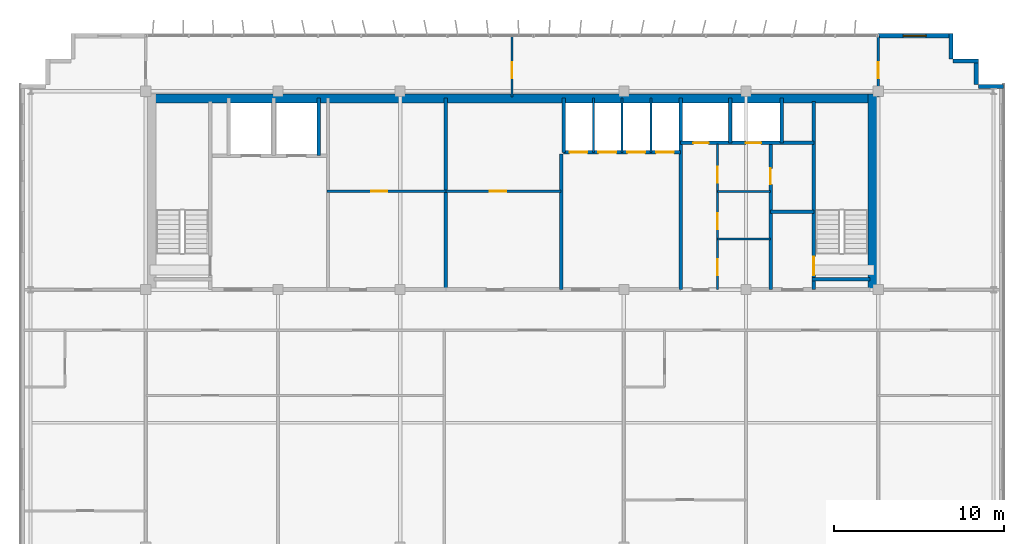
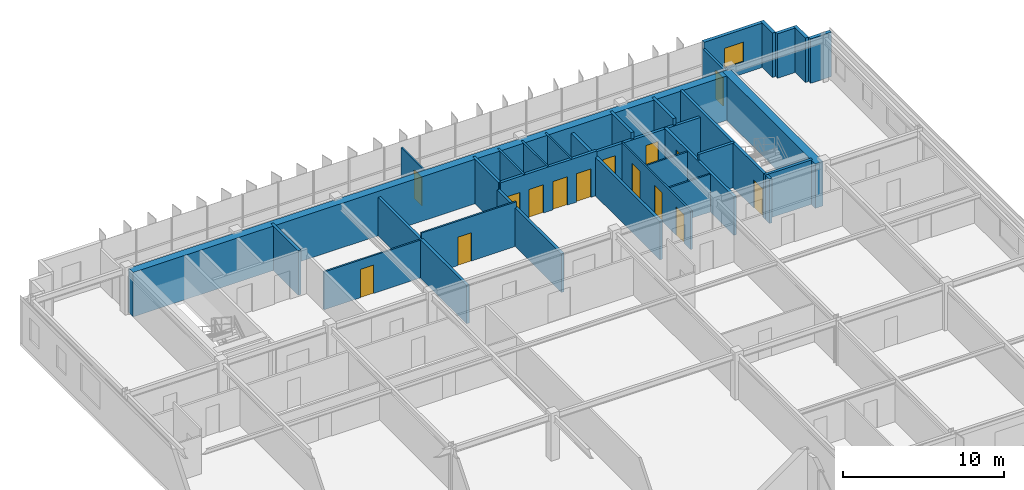
# One storey, part 19 of 22: 30 walls, 15 doors, 1 window, 16 openings.
"""IFC4 building model written with IfcOpenShell, lengths in metres."""

from ifc_helpers import new_model, si_unit, direction, frame, frame_2d, origin, place, context, subcontext, project, spatial, rectangle, extrude, source, transform, mapped, material, layer, layer_set, type_object, element, fill, save


model = new_model("IFC4")

# Units and contexts
model_context = context("Model", 3, precision=1e-05, world=origin(), true_north=direction((0.0, 1.0)))
body_context = subcontext(model_context, "Body", "Model", "MODEL_VIEW")
ifc_project = project(units=[si_unit("LENGTHUNIT", "METRE"), si_unit("AREAUNIT", "SQUARE_METRE"), si_unit("VOLUMEUNIT", "CUBIC_METRE"), si_unit("PLANEANGLEUNIT", "RADIAN"), si_unit("MASSUNIT", "GRAM", prefix="KILO")], contexts=[model_context])

# Site, building, storey
site_placement = place(None, origin())
site = spatial("IfcSite", under=ifc_project, at=site_placement, CompositionType="ELEMENT")
building_placement = place(site_placement, origin())
building = spatial("IfcBuilding", under=site, at=building_placement, Name="Trelvane Seafront Commons", CompositionType="ELEMENT")
storey_placement = place(building_placement, frame((0.0, 0.0, 288.300048828125)))
storey = spatial("IfcBuildingStorey", under=building, at=storey_placement, Name="L75", CompositionType="ELEMENT", Elevation=288.300048828125)

# Wall, opening, window
ifc_material_1 = material(Name="Precast concrete C40/50", Category="concrete")
ifc_layer_1 = layer(ifc_material_1, 0.239990234375, Name="ARCH-WALL-EXT240")
ifc_layer_set_1 = layer_set([ifc_layer_1], Name="Precast concrete C40/50")
wall_type_1 = type_object("IfcWallType", Name="ARCH-WALL-EXT240", PredefinedType="SOLIDWALL", material=ifc_layer_set_1)
wall_1_placement = place(storey_placement, frame((58.800048828125, 48.3701171875, 0.0), z_axis=(0.0, 0.0, 1.0), x_axis=(1.0, 0.0, 0.0)))
wall_1 = element("IfcWall", 1, at=wall_1_placement, inside=storey, type_object=wall_type_1, Name="EW-L75-NE-1509", PredefinedType="SOLIDWALL", context=body_context, shape_type="SweptSolid", body=[
    extrude(rectangle(XDim=4.300048828125, YDim=0.239990234375, at=frame_2d((2.14990234375, 0.0))), origin(), (0.0, 0.0, 1.0), 3.369873046875),
])
opening_1_placement = place(wall_1_placement, frame((1.47509765625, 0.0, 0.89990234375)))
opening_1 = element("IfcOpeningElement", 2, at=opening_1_placement, cuts=wall_1, Name="Opening W09", PredefinedType="OPENING", context=body_context, shape_type="SweptSolid", body=[
    extrude(rectangle(XDim=1.35009765625, YDim=1.5, at=frame_2d((0.675048828125, 0.75))), frame((0.0, 0.1298828125, 0.0), z_axis=(0.0, -1.0, 0.0), x_axis=(1.0, 0.0, 0.0)), (0.0, 0.0, 1.0), 0.260009765625),
])
ifc_material_2 = material(Name="Low-E coastal double glazing", Category="glass")
window_type = type_object("IfcWindowType", Name="ARCH-WIN-W09", PartitioningType="SINGLE_PANEL", PredefinedType="WINDOW", material=ifc_material_2)
shared_shape_1 = source(origin(), body_context, "Body", "SweptSolid", [
    extrude(rectangle(XDim=1.35009765625, YDim=1.5, at=frame_2d((0.675048828125, 0.75))), frame((0.0, 0.030029296875, 0.0), z_axis=(0.0, -1.0, 0.0), x_axis=(1.0, 0.0, 0.0)), (0.0, 0.0, 1.0), 0.06005859375),
])
window_placement = place(opening_1_placement, origin())
window = element("IfcWindow", 3, at=window_placement, inside=storey, type_object=window_type, Name="WIN-L75-01796", OverallHeight=1.5, OverallWidth=1.35009765625, PartitioningType="SINGLE_PANEL", PredefinedType="WINDOW", context=body_context, shape_type="MappedRepresentation", body=[
    mapped(shared_shape_1, transform((0.0, 0.0, 0.0), x_axis=(1.0, 0.0, 0.0), y_axis=(0.0, 1.0, 0.0), z_axis=(0.0, 0.0, 1.0), scale=1.0)),
])
fill(opening_1, window)

# Walls
for number, where, z_axis, x_axis, name in (
    (4, (63.080078125, 48.5, 0.0), (0.0, 0.0, 1.0), (0.0, -1.0, 0.0), "EW-L75-01518"),
    (5, (63.199951171875, 46.8798828125, 0.0), (0.0, 0.0, 1.0), (1.0, 0.0, 0.0), "EW-L75-01519"),
    (6, (64.580078125, 47.0, 0.0), (0.0, 0.0, 1.0), (0.0, -1.0, 0.0), "EW-L75-01520"),
    (7, (64.699951171875, 45.3798828125, 0.0), (0.0, 0.0, 1.0), (1.0, 0.0, 0.0), "EW-L75-01521"),
):
    element("IfcWall", number, at=place(storey_placement, frame(where, z_axis=z_axis, x_axis=x_axis)), inside=storey, type_object=wall_type_1, Name=name, PredefinedType="SOLIDWALL", context=body_context, shape_type="SweptSolid", body=[
        extrude(rectangle(XDim=1.5, YDim=0.239990234375, at=frame_2d((0.75, 0.0))), origin(), (0.0, 0.0, 1.0), 3.369873046875),
    ])

# Wall, opening, door
ifc_material_3 = material(Name="Concrete C40/50", Category="concrete")
ifc_layer_2 = layer(ifc_material_3, 0.199951171875, Name="ARCH-WALL-FIRE200")
ifc_layer_set_2 = layer_set([ifc_layer_2], Name="Concrete C40/50")
wall_type_2 = type_object("IfcWallType", Name="ARCH-WALL-FIRE200", PredefinedType="PARTITIONING", material=ifc_layer_set_2)
wall_2_placement = place(storey_placement, frame((52.449951171875, 33.39990234375, 0.0), z_axis=(0.0, 0.0, 1.0), x_axis=(0.0, 1.0, 0.0)))
wall_2 = element("IfcWall", 8, at=wall_2_placement, inside=storey, type_object=wall_type_2, Name="W-L75-ST2V-W-030", PredefinedType="PARTITIONING", context=body_context, shape_type="SweptSolid", body=[
    extrude(rectangle(XDim=8.650146484375, YDim=0.199951171875, at=frame_2d((4.3251953125, 0.0))), origin(), (0.0, 0.0, 1.0), 2.919921875),
])
opening_2_placement = place(wall_2_placement, frame((6.199951171875, 0.0, 0.0)))
opening_2 = element("IfcOpeningElement", 9, at=opening_2_placement, cuts=wall_2, Name="Opening FD-L75-17", PredefinedType="OPENING", context=body_context, shape_type="SweptSolid", body=[
    extrude(rectangle(XDim=0.949951171875, YDim=2.14990234375, at=frame_2d((0.47509765625, 1.074951171875))), frame((0.0, 0.10986328125, 0.0), z_axis=(0.0, -1.0, 0.0), x_axis=(1.0, 0.0, 0.0)), (0.0, 0.0, 1.0), 0.219970703125),
])
ifc_material_4 = material(Name="Powder-coated aluminium frame", Category="aluminium")
door_type_1 = type_object("IfcDoorType", Name="ARCH-DR-FD60-950", OperationType="NOTDEFINED", PredefinedType="DOOR", material=ifc_material_4)
shared_shape_2 = source(origin(), body_context, "Body", "SweptSolid", [
    extrude(rectangle(XDim=0.949951171875, YDim=2.14990234375, at=frame_2d((0.47509765625, 1.074951171875))), frame((0.0, 0.02490234375, 0.0), z_axis=(0.0, -1.0, 0.0), x_axis=(1.0, 0.0, 0.0)), (0.0, 0.0, 1.0), 0.050048828125),
])
door_1_placement = place(opening_2_placement, origin())
door_1 = element("IfcDoor", 10, at=door_1_placement, inside=storey, type_object=door_type_1, Name="L75 Cleaner Store Door", OperationType="SINGLE_SWING_LEFT", OverallHeight=2.14990234375, OverallWidth=0.949951171875, PredefinedType="DOOR", context=body_context, shape_type="MappedRepresentation", body=[
    mapped(shared_shape_2, transform((0.0, 0.0, 0.0), x_axis=(1.0, 0.0, 0.0), y_axis=(0.0, 1.0, 0.0), z_axis=(0.0, 0.0, 1.0), scale=1.0)),
])
fill(opening_2, door_1)

# Wall
wall_3_placement = place(storey_placement, frame((52.449951171875, 38.0, 0.0), z_axis=(0.0, 0.0, 1.0), x_axis=(1.0, 0.0, 0.0)))
element("IfcWall", 11, at=wall_3_placement, inside=storey, type_object=wall_type_2, Name="W-L75-ST2V-N-031", PredefinedType="PARTITIONING", context=body_context, shape_type="SweptSolid", body=[
    extrude(rectangle(XDim=2.550048828125, YDim=0.199951171875, at=frame_2d((1.27490234375, 0.0))), origin(), (0.0, 0.0, 1.0), 3.369873046875),
])

# Wall, opening, door
ifc_material_5 = material(Name="Gypsum Drywall Acoustic Partition")
ifc_layer_3 = layer(ifc_material_5, 0.1201171875, Name="ARCH-WALL-PART120")
ifc_layer_set_3 = layer_set([ifc_layer_3], Name="Gypsum Drywall Acoustic Partition")
wall_type_3 = type_object("IfcWallType", Name="ARCH-WALL-PART120", PredefinedType="PARTITIONING", material=ifc_layer_set_3)
wall_4_placement = place(storey_placement, frame((26.300048828125, 39.199951171875, 0.0), z_axis=(0.0, 0.0, 1.0), x_axis=(1.0, 0.0, 0.0)))
wall_4 = element("IfcWall", 12, at=wall_4_placement, inside=storey, type_object=wall_type_3, Name="W-L75-FREED-PL-MID-014", PredefinedType="PARTITIONING", context=body_context, shape_type="SweptSolid", body=[
    extrude(rectangle(XDim=7.0, YDim=0.1201171875, at=frame_2d((3.5, 0.0))), origin(), (0.0, 0.0, 1.0), 2.869873046875),
])
opening_3_placement = place(wall_4_placement, frame((2.60009765625, 0.0, 0.0)))
opening_3 = element("IfcOpeningElement", 13, at=opening_3_placement, cuts=wall_4, Name="Opening D-L75-06", PredefinedType="OPENING", context=body_context, shape_type="SweptSolid", body=[
    extrude(rectangle(XDim=0.949951171875, YDim=2.14990234375, at=frame_2d((0.47509765625, 1.074951171875))), frame((0.0, 0.070068359375, 0.0), z_axis=(0.0, -1.0, 0.0), x_axis=(1.0, 0.0, 0.0)), (0.0, 0.0, 1.0), 0.14013671875),
])
ifc_material_6 = material(Name="Acoustic timber door leaf", Category="wood")
door_type_2 = type_object("IfcDoorType", Name="ARCH-DR-INT950", OperationType="NOTDEFINED", PredefinedType="DOOR", material=ifc_material_6)
door_2_placement = place(opening_3_placement, origin())
door_2 = element("IfcDoor", 14, at=door_2_placement, inside=storey, type_object=door_type_2, Name="L75 Housekeeping Store Door", OperationType="SINGLE_SWING_RIGHT", OverallHeight=2.14990234375, OverallWidth=0.949951171875, PredefinedType="DOOR", context=body_context, shape_type="MappedRepresentation", body=[
    mapped(shared_shape_2, transform((0.0, 0.0, 0.0), x_axis=(1.0, 0.0, 0.0), y_axis=(0.0, 1.0, 0.0), z_axis=(0.0, 0.0, 1.0), scale=1.0)),
])
fill(opening_3, door_2)

wall_5_placement = place(storey_placement, frame((33.300048828125, 39.199951171875, 0.0), z_axis=(0.0, 0.0, 1.0), x_axis=(1.0, 0.0, 0.0)))
wall_5 = element("IfcWall", 15, at=wall_5_placement, inside=storey, type_object=wall_type_3, Name="W-L75-FREED-PM-MID-016", PredefinedType="PARTITIONING", context=body_context, shape_type="SweptSolid", body=[
    extrude(rectangle(XDim=6.800048828125, YDim=0.1201171875, at=frame_2d((3.39990234375, 0.0))), origin(), (0.0, 0.0, 1.0), 3.369873046875),
])
opening_4_placement = place(wall_5_placement, frame((2.60009765625, 0.0, 0.0)))
opening_4 = element("IfcOpeningElement", 16, at=opening_4_placement, cuts=wall_5, Name="Opening D-L75-07", PredefinedType="OPENING", context=body_context, shape_type="SweptSolid", body=[
    extrude(rectangle(XDim=0.949951171875, YDim=2.14990234375, at=frame_2d((0.47509765625, 1.074951171875))), frame((0.0, 0.070068359375, 0.0), z_axis=(0.0, -1.0, 0.0), x_axis=(1.0, 0.0, 0.0)), (0.0, 0.0, 1.0), 0.14013671875),
])
door_3_placement = place(opening_4_placement, origin())
door_3 = element("IfcDoor", 17, at=door_3_placement, inside=storey, type_object=door_type_2, Name="L75 IT Comms Room Door", OperationType="SINGLE_SWING_LEFT", OverallHeight=2.14990234375, OverallWidth=0.949951171875, PredefinedType="DOOR", context=body_context, shape_type="MappedRepresentation", body=[
    mapped(shared_shape_2, transform((0.0, 0.0, 0.0), x_axis=(1.0, 0.0, 0.0), y_axis=(0.0, 1.0, 0.0), z_axis=(0.0, 0.0, 1.0), scale=1.0)),
])
fill(opening_4, door_3)

# Walls
for number, where, z_axis, x_axis, name in (
    (18, (42.0, 41.5, 0.0), (0.0, 0.0, 1.0), (0.0, 1.0, 0.0), "W-L75-PH-DIV1-020"),
    (19, (43.699951171875, 41.5, 0.0), (0.0, 0.0, 1.0), (0.0, 1.0, 0.0), "W-L75-PH-DIV2-021"),
    (20, (45.39990234375, 41.5, 0.0), (0.0, 0.0, 1.0), (0.0, 1.0, 0.0), "W-L75-PH-DIV3-022"),
):
    element("IfcWall", number, at=place(storey_placement, frame(where, z_axis=z_axis, x_axis=x_axis)), inside=storey, type_object=wall_type_3, Name=name, PredefinedType="PARTITIONING", context=body_context, shape_type="SweptSolid", body=[
        extrude(rectangle(XDim=3.199951171875, YDim=0.1201171875, at=frame_2d((1.60009765625, 0.0))), origin(), (0.0, 0.0, 1.0), 3.369873046875),
    ])

# Wall, openings, doors
wall_6_placement = place(storey_placement, frame((49.320068359375, 33.39990234375, 0.0), z_axis=(0.0, 0.0, 1.0), x_axis=(0.0, 1.0, 0.0)))
wall_6 = element("IfcWall", 21, at=wall_6_placement, inside=storey, type_object=wall_type_3, Name="W-L75-CYC3-V-032", PredefinedType="PARTITIONING", context=body_context, shape_type="SweptSolid", body=[
    extrude(rectangle(XDim=8.60009765625, YDim=0.1201171875, at=frame_2d((4.300048828125, 0.0))), origin(), (0.0, 0.0, 1.0), 2.919921875),
])
opening_5_placement = place(wall_6_placement, frame((0.85009765625, 0.0, 0.0)))
opening_5 = element("IfcOpeningElement", 22, at=opening_5_placement, cuts=wall_6, Name="Opening D-L75-18", PredefinedType="OPENING", context=body_context, shape_type="SweptSolid", body=[
    extrude(rectangle(XDim=0.949951171875, YDim=2.14990234375, at=frame_2d((0.47509765625, 1.074951171875))), frame((0.0, 0.070068359375, 0.0), z_axis=(0.0, -1.0, 0.0), x_axis=(1.0, 0.0, 0.0)), (0.0, 0.0, 1.0), 0.14013671875),
])
opening_6_placement = place(wall_6_placement, frame((3.550048828125, 0.0, 0.0)))
opening_6 = element("IfcOpeningElement", 23, at=opening_6_placement, cuts=wall_6, Name="Opening D-L75-19", PredefinedType="OPENING", context=body_context, shape_type="SweptSolid", body=[
    extrude(rectangle(XDim=0.949951171875, YDim=2.14990234375, at=frame_2d((0.47509765625, 1.074951171875))), frame((0.0, 0.070068359375, 0.0), z_axis=(0.0, -1.0, 0.0), x_axis=(1.0, 0.0, 0.0)), (0.0, 0.0, 1.0), 0.14013671875),
])
opening_7_placement = place(wall_6_placement, frame((6.300048828125, 0.0, 0.0)))
opening_7 = element("IfcOpeningElement", 24, at=opening_7_placement, cuts=wall_6, Name="Opening D-L75-20", PredefinedType="OPENING", context=body_context, shape_type="SweptSolid", body=[
    extrude(rectangle(XDim=0.949951171875, YDim=2.14990234375, at=frame_2d((0.47509765625, 1.074951171875))), frame((0.0, 0.070068359375, 0.0), z_axis=(0.0, -1.0, 0.0), x_axis=(1.0, 0.0, 0.0)), (0.0, 0.0, 1.0), 0.14013671875),
])
door_4_placement = place(opening_5_placement, origin())
door_4 = element("IfcDoor", 25, at=door_4_placement, inside=storey, type_object=door_type_2, Name="L75 Accessible WC Door", OperationType="SINGLE_SWING_RIGHT", OverallHeight=2.14990234375, OverallWidth=0.949951171875, PredefinedType="DOOR", context=body_context, shape_type="MappedRepresentation", body=[
    mapped(shared_shape_2, transform((0.0, 0.0, 0.0), x_axis=(1.0, 0.0, 0.0), y_axis=(0.0, 1.0, 0.0), z_axis=(0.0, 0.0, 1.0), scale=1.0)),
])
fill(opening_5, door_4)
door_5_placement = place(opening_6_placement, origin())
door_5 = element("IfcDoor", 26, at=door_5_placement, inside=storey, type_object=door_type_2, Name="L75 Staff WC Door", OperationType="SINGLE_SWING_LEFT", OverallHeight=2.14990234375, OverallWidth=0.949951171875, PredefinedType="DOOR", context=body_context, shape_type="MappedRepresentation", body=[
    mapped(shared_shape_2, transform((0.0, 0.0, 0.0), x_axis=(1.0, 0.0, 0.0), y_axis=(0.0, 1.0, 0.0), z_axis=(0.0, 0.0, 1.0), scale=1.0)),
])
fill(opening_6, door_5)
door_6_placement = place(opening_7_placement, origin())
door_6 = element("IfcDoor", 27, at=door_6_placement, inside=storey, type_object=door_type_2, Name="L75 Electrical Room Door", OperationType="SINGLE_SWING_RIGHT", OverallHeight=2.14990234375, OverallWidth=0.949951171875, PredefinedType="DOOR", context=body_context, shape_type="MappedRepresentation", body=[
    mapped(shared_shape_2, transform((0.0, 0.0, 0.0), x_axis=(1.0, 0.0, 0.0), y_axis=(0.0, 1.0, 0.0), z_axis=(0.0, 0.0, 1.0), scale=1.0)),
])
fill(opening_7, door_6)

# Walls
for number, where, z_axis, x_axis, name in (
    (28, (49.320068359375, 36.3798828125, 0.0), (0.0, 0.0, 1.0), (1.0, 0.0, 0.0), "W-L75-CYC3-H1-033"),
    (29, (49.320068359375, 39.179931640625, 0.0), (0.0, 0.0, 1.0), (1.0, 0.0, 0.0), "W-L75-CYC3-H2-034"),
):
    element("IfcWall", number, at=place(storey_placement, frame(where, z_axis=z_axis, x_axis=x_axis)), inside=storey, type_object=wall_type_3, Name=name, PredefinedType="PARTITIONING", context=body_context, shape_type="SweptSolid", body=[
        extrude(rectangle(XDim=3.1298828125, YDim=0.1201171875, at=frame_2d((1.56494140625, 0.0))), origin(), (0.0, 0.0, 1.0), 2.869873046875),
    ])

# Wall, opening, door
wall_7_placement = place(storey_placement, frame((37.199951171875, 44.75, 0.0), z_axis=(0.0, 0.0, 1.0), x_axis=(0.0, 1.0, 0.0)))
wall_7 = element("IfcWall", 30, at=wall_7_placement, inside=storey, type_object=wall_type_3, Name="W-L75-N-MID-DV-038", PredefinedType="PARTITIONING", context=body_context, shape_type="SweptSolid", body=[
    extrude(rectangle(XDim=3.610107421875, YDim=0.1201171875, at=frame_2d((1.80517578125, 0.0))), origin(), (0.0, 0.0, 1.0), 2.919921875),
])
opening_8_placement = place(wall_7_placement, frame((1.10009765625, 0.0, 0.0)))
opening_8 = element("IfcOpeningElement", 31, at=opening_8_placement, cuts=wall_7, Name="Opening D-L75-25", PredefinedType="OPENING", context=body_context, shape_type="SweptSolid", body=[
    extrude(rectangle(XDim=0.949951171875, YDim=2.14990234375, at=frame_2d((0.47509765625, 1.074951171875))), frame((0.0, 0.070068359375, 0.0), z_axis=(0.0, -1.0, 0.0), x_axis=(1.0, 0.0, 0.0)), (0.0, 0.0, 1.0), 0.14013671875),
])
door_7_placement = place(opening_8_placement, origin())
door_7 = element("IfcDoor", 32, at=door_7_placement, inside=storey, type_object=door_type_2, Name="L75 Door 25", OperationType="SINGLE_SWING_LEFT", OverallHeight=2.14990234375, OverallWidth=0.949951171875, PredefinedType="DOOR", context=body_context, shape_type="MappedRepresentation", body=[
    mapped(shared_shape_2, transform((0.0, 0.0, 0.0), x_axis=(1.0, 0.0, 0.0), y_axis=(0.0, 1.0, 0.0), z_axis=(0.0, 0.0, 1.0), scale=1.0)),
])
fill(opening_8, door_7)

ifc_layer_4 = layer(ifc_material_5, 0.14990234375, Name="ARCH-WALL-PART150")
ifc_layer_set_4 = layer_set([ifc_layer_4], Name="Gypsum Drywall Acoustic Partition")
wall_type_4 = type_object("IfcWallType", Name="ARCH-WALL-PART150", PredefinedType="PARTITIONING", material=ifc_layer_set_4)
wall_8_placement = place(storey_placement, frame((58.800048828125, 44.75, 0.0), z_axis=(0.0, 0.0, 1.0), x_axis=(0.0, 1.0, 0.0)))
wall_8 = element("IfcWall", 33, at=wall_8_placement, inside=storey, type_object=wall_type_4, Name="W-L75-N-LINK-E-040", PredefinedType="PARTITIONING", context=body_context, shape_type="SweptSolid", body=[
    extrude(rectangle(XDim=3.610107421875, YDim=0.14990234375, at=frame_2d((1.80517578125, 0.0))), origin(), (0.0, 0.0, 1.0), 2.869873046875),
])
opening_9_placement = place(wall_8_placement, frame((1.10009765625, 0.0, 0.0)))
opening_9 = element("IfcOpeningElement", 34, at=opening_9_placement, cuts=wall_8, Name="Opening FD-L75-27", PredefinedType="OPENING", context=body_context, shape_type="SweptSolid", body=[
    extrude(rectangle(XDim=0.949951171875, YDim=2.14990234375, at=frame_2d((0.47509765625, 1.074951171875))), frame((0.0, 0.0849609375, 0.0), z_axis=(0.0, -1.0, 0.0), x_axis=(1.0, 0.0, 0.0)), (0.0, 0.0, 1.0), 0.169921875),
])
door_8_placement = place(opening_9_placement, origin())
door_8 = element("IfcDoor", 35, at=door_8_placement, inside=storey, type_object=door_type_1, Name="L75 Door 27", OperationType="SINGLE_SWING_LEFT", OverallHeight=2.14990234375, OverallWidth=0.949951171875, PredefinedType="DOOR", context=body_context, shape_type="MappedRepresentation", body=[
    mapped(shared_shape_2, transform((0.0, 0.0, 0.0), x_axis=(1.0, 0.0, 0.0), y_axis=(0.0, 1.0, 0.0), z_axis=(0.0, 0.0, 1.0), scale=1.0)),
])
fill(opening_9, door_8)

# Walls
ifc_layer_5 = layer(ifc_material_3, 0.199951171875, Name="ARCH-WALL-SHAFT200")
ifc_layer_set_5 = layer_set([ifc_layer_5], Name="Concrete C40/50")
wall_type_5 = type_object("IfcWallType", Name="ARCH-WALL-SHAFT200", PredefinedType="SOLIDWALL", material=ifc_layer_set_5)
wall_9_placement = place(storey_placement, frame((25.800048828125, 41.300048828125, 0.0), z_axis=(0.0, 0.0, 1.0), x_axis=(0.0, 1.0, 0.0)))
element("IfcWall", 36, at=wall_9_placement, inside=storey, type_object=wall_type_5, Name="W-L75-FFL-SH-E-011", PredefinedType="SOLIDWALL", context=body_context, shape_type="SweptSolid", body=[
    extrude(rectangle(XDim=3.39990234375, YDim=0.199951171875, at=frame_2d((1.699951171875, 0.0))), origin(), (0.0, 0.0, 1.0), 3.369873046875),
])
wall_10_placement = place(storey_placement, frame((33.300048828125, 33.39990234375, 0.0), z_axis=(0.0, 0.0, 1.0), x_axis=(0.0, 1.0, 0.0)))
element("IfcWall", 37, at=wall_10_placement, inside=storey, type_object=wall_type_5, Name="W-L75-FREED-PL-E-015", PredefinedType="SOLIDWALL", context=body_context, shape_type="SweptSolid", body=[
    extrude(rectangle(XDim=11.300048828125, YDim=0.199951171875, at=frame_2d((5.64990234375, 0.0))), origin(), (0.0, 0.0, 1.0), 2.919921875),
])
wall_11_placement = place(storey_placement, frame((40.10009765625, 33.39990234375, 0.0), z_axis=(0.0, 0.0, 1.0), x_axis=(0.0, 1.0, 0.0)))
element("IfcWall", 38, at=wall_11_placement, inside=storey, type_object=wall_type_5, Name="W-L75-FREED-PM-E-017", PredefinedType="SOLIDWALL", context=body_context, shape_type="SweptSolid", body=[
    extrude(rectangle(XDim=8.0, YDim=0.199951171875, at=frame_2d((4.0, 0.0))), origin(), (0.0, 0.0, 1.0), 2.919921875),
])

# Wall, openings, doors
wall_12_placement = place(storey_placement, frame((40.25, 41.5, 0.0), z_axis=(0.0, 0.0, 1.0), x_axis=(1.0, 0.0, 0.0)))
wall_12 = element("IfcWall", 39, at=wall_12_placement, inside=storey, type_object=wall_type_5, Name="W-L75-PH-FRONT-018", PredefinedType="SOLIDWALL", context=body_context, shape_type="SweptSolid", body=[
    extrude(rectangle(XDim=6.89990234375, YDim=0.199951171875, at=frame_2d((3.449951171875, 0.0))), origin(), (0.0, 0.0, 1.0), 3.369873046875),
])
opening_10_placement = place(wall_12_placement, frame((0.35009765625, 0.0, 0.0)))
opening_10 = element("IfcOpeningElement", 40, at=opening_10_placement, cuts=wall_12, Name="Opening LD-PH1-L75", PredefinedType="OPENING", context=body_context, shape_type="SweptSolid", body=[
    extrude(rectangle(XDim=1.050048828125, YDim=2.14990234375, at=frame_2d((0.52490234375, 1.074951171875))), frame((0.0, 0.10986328125, 0.0), z_axis=(0.0, -1.0, 0.0), x_axis=(1.0, 0.0, 0.0)), (0.0, 0.0, 1.0), 0.219970703125),
])
opening_11_placement = place(wall_12_placement, frame((2.050048828125, 0.0, 0.0)))
opening_11 = element("IfcOpeningElement", 41, at=opening_11_placement, cuts=wall_12, Name="Opening LD-PH2-L75", PredefinedType="OPENING", context=body_context, shape_type="SweptSolid", body=[
    extrude(rectangle(XDim=1.050048828125, YDim=2.14990234375, at=frame_2d((0.52490234375, 1.074951171875))), frame((0.0, 0.10986328125, 0.0), z_axis=(0.0, -1.0, 0.0), x_axis=(1.0, 0.0, 0.0)), (0.0, 0.0, 1.0), 0.219970703125),
])
opening_12_placement = place(wall_12_placement, frame((3.75, 0.0, 0.0)))
opening_12 = element("IfcOpeningElement", 42, at=opening_12_placement, cuts=wall_12, Name="Opening LD-PH3-L75", PredefinedType="OPENING", context=body_context, shape_type="SweptSolid", body=[
    extrude(rectangle(XDim=1.050048828125, YDim=2.14990234375, at=frame_2d((0.52490234375, 1.074951171875))), frame((0.0, 0.10986328125, 0.0), z_axis=(0.0, -1.0, 0.0), x_axis=(1.0, 0.0, 0.0)), (0.0, 0.0, 1.0), 0.219970703125),
])
opening_13_placement = place(wall_12_placement, frame((5.449951171875, 0.0, 0.0)))
opening_13 = element("IfcOpeningElement", 43, at=opening_13_placement, cuts=wall_12, Name="Opening LD-PH4-L75", PredefinedType="OPENING", context=body_context, shape_type="SweptSolid", body=[
    extrude(rectangle(XDim=1.050048828125, YDim=2.14990234375, at=frame_2d((0.52490234375, 1.074951171875))), frame((0.0, 0.10986328125, 0.0), z_axis=(0.0, -1.0, 0.0), x_axis=(1.0, 0.0, 0.0)), (0.0, 0.0, 1.0), 0.219970703125),
])
ifc_material_7 = material(Name="Stainless steel balustrade", Category="steel")
door_type_3 = type_object("IfcDoorType", Name="ARCH-DR-LD1050", OperationType="DOUBLE_DOOR_SLIDING", PredefinedType="DOOR", material=ifc_material_7)
shared_shape_3 = source(origin(), body_context, "Body", "SweptSolid", [
    extrude(rectangle(XDim=1.050048828125, YDim=2.14990234375, at=frame_2d((0.52490234375, 1.074951171875))), frame((0.0, 0.02490234375, 0.0), z_axis=(0.0, -1.0, 0.0), x_axis=(1.0, 0.0, 0.0)), (0.0, 0.0, 1.0), 0.050048828125),
])
door_9_placement = place(opening_10_placement, origin())
door_9 = element("IfcDoor", 44, at=door_9_placement, inside=storey, type_object=door_type_3, Name="L75 Passenger Lift PH-1 Landing Door", OperationType="DOUBLE_DOOR_SLIDING", OverallHeight=2.14990234375, OverallWidth=1.050048828125, PredefinedType="DOOR", context=body_context, shape_type="MappedRepresentation", body=[
    mapped(shared_shape_3, transform((0.0, 0.0, 0.0), x_axis=(1.0, 0.0, 0.0), y_axis=(0.0, 1.0, 0.0), z_axis=(0.0, 0.0, 1.0), scale=1.0)),
])
fill(opening_10, door_9)
door_10_placement = place(opening_11_placement, origin())
door_10 = element("IfcDoor", 45, at=door_10_placement, inside=storey, type_object=door_type_3, Name="L75 Passenger Lift PH-2 Landing Door", OperationType="DOUBLE_DOOR_SLIDING", OverallHeight=2.14990234375, OverallWidth=1.050048828125, PredefinedType="DOOR", context=body_context, shape_type="MappedRepresentation", body=[
    mapped(shared_shape_3, transform((0.0, 0.0, 0.0), x_axis=(1.0, 0.0, 0.0), y_axis=(0.0, 1.0, 0.0), z_axis=(0.0, 0.0, 1.0), scale=1.0)),
])
fill(opening_11, door_10)
door_11_placement = place(opening_12_placement, origin())
door_11 = element("IfcDoor", 46, at=door_11_placement, inside=storey, type_object=door_type_3, Name="L75 Passenger Lift PH-3 Landing Door", OperationType="DOUBLE_DOOR_SLIDING", OverallHeight=2.14990234375, OverallWidth=1.050048828125, PredefinedType="DOOR", context=body_context, shape_type="MappedRepresentation", body=[
    mapped(shared_shape_3, transform((0.0, 0.0, 0.0), x_axis=(1.0, 0.0, 0.0), y_axis=(0.0, 1.0, 0.0), z_axis=(0.0, 0.0, 1.0), scale=1.0)),
])
fill(opening_12, door_11)
door_12_placement = place(opening_13_placement, origin())
door_12 = element("IfcDoor", 47, at=door_12_placement, inside=storey, type_object=door_type_3, Name="L75 Passenger Lift PH-4 Landing Door", OperationType="DOUBLE_DOOR_SLIDING", OverallHeight=2.14990234375, OverallWidth=1.050048828125, PredefinedType="DOOR", context=body_context, shape_type="MappedRepresentation", body=[
    mapped(shared_shape_3, transform((0.0, 0.0, 0.0), x_axis=(1.0, 0.0, 0.0), y_axis=(0.0, 1.0, 0.0), z_axis=(0.0, 0.0, 1.0), scale=1.0)),
])
fill(opening_13, door_12)

# Walls
wall_13_placement = place(storey_placement, frame((40.25, 41.5, 0.0), z_axis=(0.0, 0.0, 1.0), x_axis=(0.0, 1.0, 0.0)))
element("IfcWall", 48, at=wall_13_placement, inside=storey, type_object=wall_type_5, Name="W-L75-PH-WEST-SH-019", PredefinedType="SOLIDWALL", context=body_context, shape_type="SweptSolid", body=[
    extrude(rectangle(XDim=3.199951171875, YDim=0.199951171875, at=frame_2d((1.60009765625, 0.0))), origin(), (0.0, 0.0, 1.0), 3.369873046875),
])
wall_14_placement = place(storey_placement, frame((47.14990234375, 33.39990234375, 0.0), z_axis=(0.0, 0.0, 1.0), x_axis=(0.0, 1.0, 0.0)))
element("IfcWall", 49, at=wall_14_placement, inside=storey, type_object=wall_type_5, Name="W-L75-PH-EAST-023", PredefinedType="SOLIDWALL", context=body_context, shape_type="SweptSolid", body=[
    extrude(rectangle(XDim=11.300048828125, YDim=0.199951171875, at=frame_2d((5.64990234375, 0.0))), origin(), (0.0, 0.0, 1.0), 2.919921875),
])

# Wall, openings, doors
wall_15_placement = place(storey_placement, frame((47.14990234375, 42.050048828125, 0.0), z_axis=(0.0, 0.0, 1.0), x_axis=(1.0, 0.0, 0.0)))
wall_15 = element("IfcWall", 50, at=wall_15_placement, inside=storey, type_object=wall_type_5, Name="W-L75-RSR-S-027", PredefinedType="SOLIDWALL", context=body_context, shape_type="SweptSolid", body=[
    extrude(rectangle(XDim=7.85009765625, YDim=0.199951171875, at=frame_2d((3.925048828125, 0.0))), origin(), (0.0, 0.0, 1.0), 2.869873046875),
])
opening_14_placement = place(wall_15_placement, frame((0.75, 0.0, 0.0)))
opening_14 = element("IfcOpeningElement", 51, at=opening_14_placement, cuts=wall_15, Name="Opening FD-L75-15", PredefinedType="OPENING", context=body_context, shape_type="SweptSolid", body=[
    extrude(rectangle(XDim=0.89990234375, YDim=2.10009765625, at=frame_2d((0.449951171875, 1.050048828125))), frame((0.0, 0.10986328125, 0.0), z_axis=(0.0, -1.0, 0.0), x_axis=(1.0, 0.0, 0.0)), (0.0, 0.0, 1.0), 0.219970703125),
])
opening_15_placement = place(wall_15_placement, frame((3.85009765625, 0.0, 0.0)))
opening_15 = element("IfcOpeningElement", 52, at=opening_15_placement, cuts=wall_15, Name="Opening FD-L75-16", PredefinedType="OPENING", context=body_context, shape_type="SweptSolid", body=[
    extrude(rectangle(XDim=0.89990234375, YDim=2.10009765625, at=frame_2d((0.449951171875, 1.050048828125))), frame((0.0, 0.10986328125, 0.0), z_axis=(0.0, -1.0, 0.0), x_axis=(1.0, 0.0, 0.0)), (0.0, 0.0, 1.0), 0.219970703125),
])
door_type_4 = type_object("IfcDoorType", Name="ARCH-DR-FD60-900", OperationType="NOTDEFINED", PredefinedType="DOOR", material=ifc_material_4)
shared_shape_4 = source(origin(), body_context, "Body", "SweptSolid", [
    extrude(rectangle(XDim=0.89990234375, YDim=2.10009765625, at=frame_2d((0.449951171875, 1.050048828125))), frame((0.0, 0.02490234375, 0.0), z_axis=(0.0, -1.0, 0.0), x_axis=(1.0, 0.0, 0.0)), (0.0, 0.0, 1.0), 0.050048828125),
])
door_13_placement = place(opening_14_placement, origin())
door_13 = element("IfcDoor", 53, at=door_13_placement, inside=storey, type_object=door_type_4, Name="L75 Electrical Riser Access Door", OperationType="SINGLE_SWING_LEFT", OverallHeight=2.10009765625, OverallWidth=0.89990234375, PredefinedType="DOOR", context=body_context, shape_type="MappedRepresentation", body=[
    mapped(shared_shape_4, transform((0.0, 0.0, 0.0), x_axis=(1.0, 0.0, 0.0), y_axis=(0.0, 1.0, 0.0), z_axis=(0.0, 0.0, 1.0), scale=1.0)),
])
fill(opening_14, door_13)
door_14_placement = place(opening_15_placement, origin())
door_14 = element("IfcDoor", 54, at=door_14_placement, inside=storey, type_object=door_type_4, Name="L75 Mechanical Riser Access Door", OperationType="SINGLE_SWING_RIGHT", OverallHeight=2.10009765625, OverallWidth=0.89990234375, PredefinedType="DOOR", context=body_context, shape_type="MappedRepresentation", body=[
    mapped(shared_shape_4, transform((0.0, 0.0, 0.0), x_axis=(1.0, 0.0, 0.0), y_axis=(0.0, 1.0, 0.0), z_axis=(0.0, 0.0, 1.0), scale=1.0)),
])
fill(opening_15, door_14)

# Walls
for number, where, z_axis, x_axis, name in (
    (55, (50.080078125, 42.050048828125, 0.0), (0.0, 0.0, 1.0), (0.0, 1.0, 0.0), "W-L75-RSR-DIV-028"),
    (56, (53.10009765625, 42.050048828125, 0.0), (0.0, 0.0, 1.0), (0.0, 1.0, 0.0), "W-L75-RSR-E-029"),
):
    element("IfcWall", number, at=place(storey_placement, frame(where, z_axis=z_axis, x_axis=x_axis)), inside=storey, type_object=wall_type_5, Name=name, PredefinedType="SOLIDWALL", context=body_context, shape_type="SweptSolid", body=[
        extrude(rectangle(XDim=2.64990234375, YDim=0.199951171875, at=frame_2d((1.324951171875, 0.0))), origin(), (0.0, 0.0, 1.0), 3.369873046875),
    ])
ifc_material_8 = material(Name="Concrete C50/60", Category="concrete")
ifc_layer_6 = layer(ifc_material_8, 0.550048828125, Name="STR-WALL-CORE550")
ifc_layer_set_6 = layer_set([ifc_layer_6], Name="Concrete C50/60")
wall_type_6 = type_object("IfcWallType", Name="STR-WALL-CORE550", PredefinedType="SHEAR", material=ifc_layer_set_6)
wall_16_placement = place(storey_placement, frame((15.64990234375, 44.675048828125, 0.0), z_axis=(0.0, 0.0, 1.0), x_axis=(1.0, 0.0, 0.0)))
element("IfcWall", 57, at=wall_16_placement, inside=storey, type_object=wall_type_6, Name="W-L75-CN-ALL-001", PredefinedType="SHEAR", context=body_context, shape_type="SweptSolid", body=[
    extrude(rectangle(XDim=43.10009765625, YDim=0.550048828125, at=frame_2d((21.550048828125, 0.0))), origin(), (0.0, 0.0, 1.0), 3.369873046875),
])
wall_17_placement = place(storey_placement, frame((58.47509765625, 33.39990234375, 0.0), z_axis=(0.0, 0.0, 1.0), x_axis=(0.0, 1.0, 0.0)))
element("IfcWall", 58, at=wall_17_placement, inside=storey, type_object=wall_type_6, Name="W-L75-CE-END-003", PredefinedType="SHEAR", context=body_context, shape_type="SweptSolid", body=[
    extrude(rectangle(XDim=11.550048828125, YDim=0.550048828125, at=frame_2d((5.77490234375, 0.0))), origin(), (0.0, 0.0, 1.0), 3.369873046875),
])
ifc_layer_7 = layer(ifc_material_8, 0.199951171875, Name="STR-WALL-STAIR200")
ifc_layer_set_7 = layer_set([ifc_layer_7], Name="Concrete C50/60")
wall_type_7 = type_object("IfcWallType", Name="STR-WALL-STAIR200", PredefinedType="SHEAR", material=ifc_layer_set_7)
wall_18_placement = place(storey_placement, frame((54.89990234375, 34.0, 0.0), z_axis=(0.0, 0.0, 1.0), x_axis=(1.0, 0.0, 0.0)))
element("IfcWall", 59, at=wall_18_placement, inside=storey, type_object=wall_type_7, Name="W-L75-ST2-S-006", PredefinedType="SHEAR", context=body_context, shape_type="SweptSolid", body=[
    extrude(rectangle(XDim=3.400146484375, YDim=0.199951171875, at=frame_2d((1.7001953125, 0.0))), origin(), (0.0, 0.0, 1.0), 3.369873046875),
])

# Wall, opening, door
wall_19_placement = place(storey_placement, frame((55.0, 33.39990234375, 0.0), z_axis=(0.0, 0.0, 1.0), x_axis=(0.0, 1.0, 0.0)))
wall_19 = element("IfcWall", 60, at=wall_19_placement, inside=storey, type_object=wall_type_7, Name="W-L75-ST2-W-007", PredefinedType="SHEAR", context=body_context, shape_type="SweptSolid", body=[
    extrude(rectangle(XDim=11.10009765625, YDim=0.199951171875, at=frame_2d((5.550048828125, 0.0))), origin(), (0.0, 0.0, 1.0), 3.369873046875),
])
opening_16_placement = place(wall_19_placement, frame((0.85009765625, 0.0, 0.0)))
opening_16 = element("IfcOpeningElement", 61, at=opening_16_placement, cuts=wall_19, Name="Opening ST-D2-L75", PredefinedType="OPENING", context=body_context, shape_type="SweptSolid", body=[
    extrude(rectangle(XDim=1.10009765625, YDim=2.14990234375, at=frame_2d((0.550048828125, 1.074951171875))), frame((0.0, 0.10986328125, 0.0), z_axis=(0.0, -1.0, 0.0), x_axis=(1.0, 0.0, 0.0)), (0.0, 0.0, 1.0), 0.219970703125),
])
door_type_5 = type_object("IfcDoorType", Name="ARCH-DR-FD90-1100", OperationType="NOTDEFINED", PredefinedType="DOOR", material=ifc_material_4)
shared_shape_5 = source(origin(), body_context, "Body", "SweptSolid", [
    extrude(rectangle(XDim=1.10009765625, YDim=2.14990234375, at=frame_2d((0.550048828125, 1.074951171875))), frame((0.0, 0.02490234375, 0.0), z_axis=(0.0, -1.0, 0.0), x_axis=(1.0, 0.0, 0.0)), (0.0, 0.0, 1.0), 0.050048828125),
])
door_15_placement = place(opening_16_placement, origin())
door_15 = element("IfcDoor", 62, at=door_15_placement, inside=storey, type_object=door_type_5, Name="L75 Stair ST-2 Vestibule Fire Door", OperationType="SINGLE_SWING_RIGHT", OverallHeight=2.14990234375, OverallWidth=1.10009765625, PredefinedType="DOOR", context=body_context, shape_type="MappedRepresentation", body=[
    mapped(shared_shape_5, transform((0.0, 0.0, 0.0), x_axis=(1.0, 0.0, 0.0), y_axis=(0.0, 1.0, 0.0), z_axis=(0.0, 0.0, 1.0), scale=1.0)),
])
fill(opening_16, door_15)

save(model, "model.ifc")
